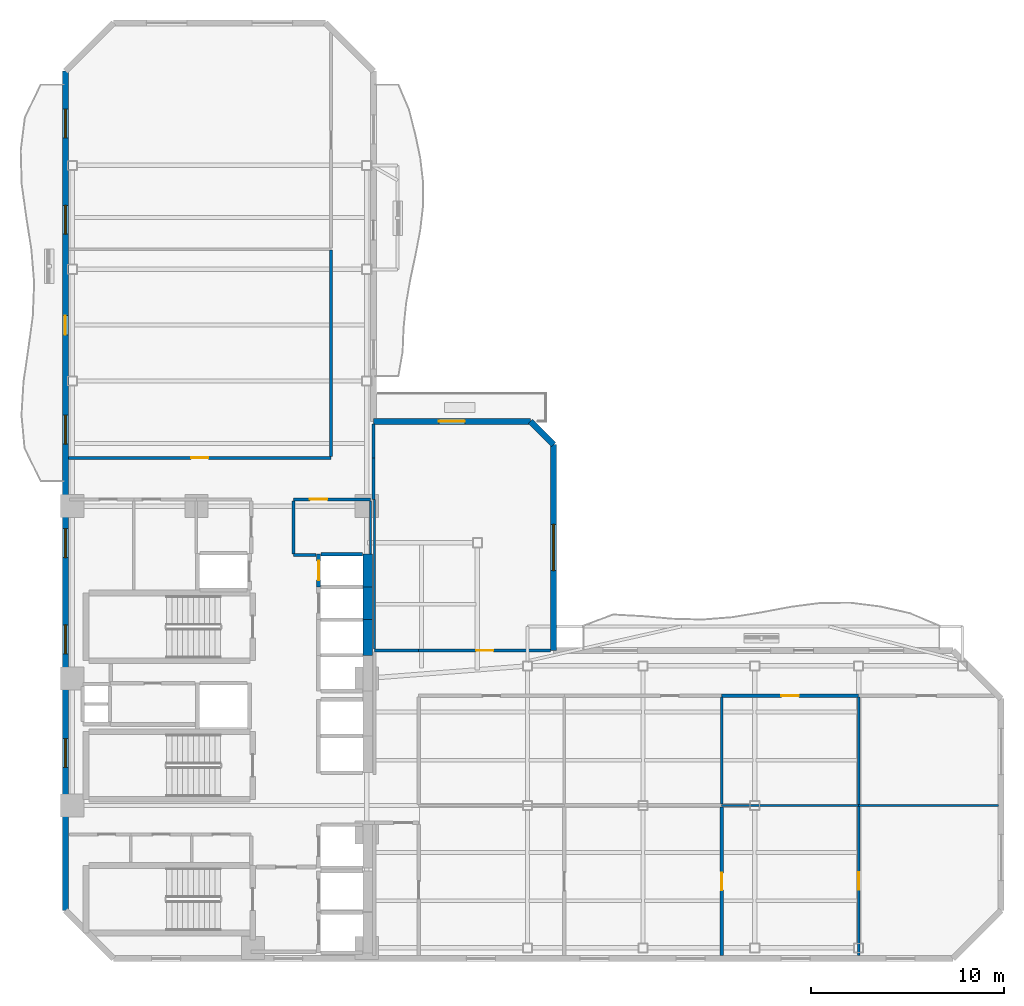
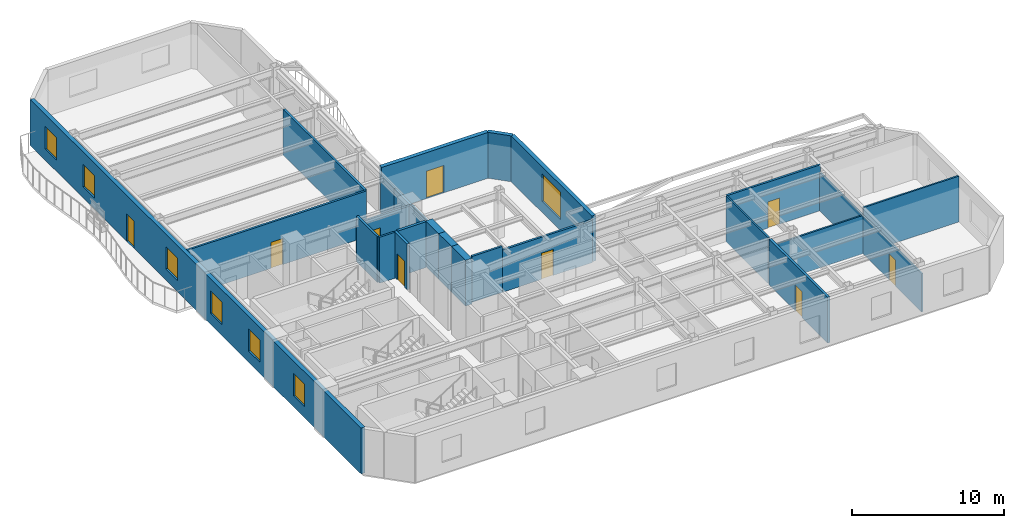
# One storey, part 5 of 10: 27 walls, 9 doors, 7 windows, 16 openings.
"""IFC4 building model written with IfcOpenShell, lengths in metres."""

from ifc_helpers import new_model, si_unit, direction, frame, frame_2d, origin, place, context, subcontext, project, spatial, rectangle, extrude, material, layer, layer_set, type_object, element, fill, save


model = new_model("IFC4")

# Units and contexts
model_context = context("Model", 3, precision=1e-05, world=origin(), true_north=direction((0.0, 1.0)))
body_context = subcontext(model_context, "Body", "Model", "MODEL_VIEW")
ifc_project = project(units=[si_unit("LENGTHUNIT", "METRE"), si_unit("AREAUNIT", "SQUARE_METRE"), si_unit("VOLUMEUNIT", "CUBIC_METRE"), si_unit("PLANEANGLEUNIT", "RADIAN"), si_unit("MASSUNIT", "GRAM", prefix="KILO")], contexts=[model_context])

# Site, building, storey
site_placement = place(None, origin())
site = spatial("IfcSite", under=ifc_project, at=site_placement, CompositionType="ELEMENT")
building_placement = place(site_placement, origin())
building = spatial("IfcBuilding", under=site, at=building_placement, Name="Mawjaban Terraces University", CompositionType="ELEMENT")
storey_placement = place(building_placement, frame((0.0, 0.0, 122.89990234375)))
storey = spatial("IfcBuildingStorey", under=building, at=storey_placement, Name="L29", CompositionType="ELEMENT", Elevation=122.89990234375)

# Wall, opening, door
ifc_material_1 = material(Name="Acoustic masonry blockwork", Category="masonry")
ifc_layer_1 = layer(ifc_material_1, 0.179931640625)
ifc_layer_set_1 = layer_set([ifc_layer_1], Name="Acoustic masonry blockwork")
wall_type_1 = type_object("IfcWallType", Name="AcousticStudioWall_180", PredefinedType="PARTITIONING", material=ifc_layer_set_1)
wall_1_placement = place(storey_placement, frame((56.080078125, 0.14501953125, 0.0), z_axis=(0.0, 0.0, 1.0), x_axis=(0.0, 1.0, 0.0)))
wall_1 = element("IfcWall", 1, at=wall_1_placement, inside=storey, type_object=wall_type_1, Name="L29 Media Workshop 4 Partition 46", PredefinedType="PARTITIONING", context=body_context, shape_type="SweptSolid", body=[
    extrude(rectangle(XDim=7.719970703125, YDim=0.179931640625, at=frame_2d((3.85986328125, 0.0))), origin(), (0.0, 0.0, 1.0), 3.690185546875),
])
opening_1_placement = place(wall_1_placement, frame((3.409912109375, 0.0, 0.0)))
opening_1 = element("IfcOpeningElement", 2, at=opening_1_placement, cuts=wall_1, Name="Opening ID-090", PredefinedType="OPENING", context=body_context, shape_type="SweptSolid", body=[
    extrude(rectangle(XDim=0.89990234375, YDim=2.10009765625, at=frame_2d((0.449951171875, 1.050048828125))), frame((0.0, 0.099853515625, 0.0), z_axis=(0.0, -1.0, 0.0), x_axis=(1.0, 0.0, 0.0)), (0.0, 0.0, 1.0), 0.199951171875),
])
ifc_material_2 = material(Name="Powder-coated steel frame and solid acoustic timber leaf", Category="steel")
door_type_1 = type_object("IfcDoorType", Name="OfficeDoor_900x2100", OperationType="NOTDEFINED", PredefinedType="DOOR", material=ifc_material_2)
door_1_placement = place(opening_1_placement, origin())
door_1 = element("IfcDoor", 3, at=door_1_placement, inside=storey, type_object=door_type_1, Name="L29 Reading Salon 6 Door", OperationType="SINGLE_SWING_RIGHT", OverallHeight=2.10009765625, OverallWidth=0.89990234375, PredefinedType="DOOR", context=body_context, shape_type="SweptSolid", body=[
    extrude(rectangle(XDim=0.89990234375, YDim=2.10009765625, at=frame_2d((0.449951171875, 1.050048828125))), frame((0.0, 0.02490234375, 0.0), z_axis=(0.0, -1.0, 0.0), x_axis=(1.0, 0.0, 0.0)), (0.0, 0.0, 1.0), 0.050048828125),
])
fill(opening_1, door_1)

# Walls
ifc_material_3 = material(Name="Concrete C60/75", Category="concrete")
ifc_layer_2 = layer(ifc_material_3, 0.5)
ifc_layer_set_2 = layer_set([ifc_layer_2], Name="Concrete C60/75")
wall_type_2 = type_object("IfcWallType", Name="CoreShearWall_500", PredefinedType="SHEAR", material=ifc_layer_set_2)
wall_2_placement = place(storey_placement, frame((37.699951171875, 15.75, 0.0), z_axis=(0.0, 0.0, 1.0), x_axis=(0.0, 1.0, 0.0)))
element("IfcWall", 4, at=wall_2_placement, inside=storey, type_object=wall_type_2, Name="L29 Lift OL-2 Hoistway Wall East", PredefinedType="SHEAR", context=body_context, shape_type="SweptSolid", body=[
    extrude(rectangle(XDim=1.85009765625, YDim=0.5, at=frame_2d((0.925048828125, 0.0))), origin(), (0.0, 0.0, 1.0), 3.690185546875),
])
for number, where, z_axis, x_axis, name in (
    (5, (37.699951171875, 17.60009765625, 0.0), (0.0, 0.0, 1.0), (0.0, 1.0, 0.0), "L29 Lift PL-M1 Hoistway Wall East"),
    (6, (37.699951171875, 19.300048828125, 0.0), (0.0, 0.0, 1.0), (0.0, 1.0, 0.0), "L29 Lift PL-M2 Hoistway Wall East"),
):
    element("IfcWall", number, at=place(storey_placement, frame(where, z_axis=z_axis, x_axis=x_axis)), inside=storey, type_object=wall_type_2, Name=name, PredefinedType="SHEAR", context=body_context, shape_type="SweptSolid", body=[
        extrude(rectangle(XDim=1.699951171875, YDim=0.5, at=frame_2d((0.85009765625, 0.0))), origin(), (0.0, 0.0, 1.0), 3.690185546875),
    ])
ifc_material_4 = material(Name="Fire-rated gypsum board on steel stud", Category="steel")
ifc_layer_3 = layer(ifc_material_4, 0.159912109375)
ifc_layer_set_3 = layer_set([ifc_layer_3], Name="Fire-rated gypsum board on steel stud")
wall_type_3 = type_object("IfcWallType", Name="CorridorPartition_160", PredefinedType="PARTITIONING", material=ifc_layer_set_3)
wall_3_placement = place(storey_placement, frame((35.02001953125, 20.949951171875, 0.0), z_axis=(0.0, 0.0, 1.0), x_axis=(-1.0, 0.0, 0.0)))
element("IfcWall", 7, at=wall_3_placement, inside=storey, type_object=wall_type_3, Name="L29 Passenger Lift Lobby Partition 11", PredefinedType="PARTITIONING", context=body_context, shape_type="SweptSolid", body=[
    extrude(rectangle(XDim=1.169921875, YDim=0.159912109375, at=frame_2d((0.5849609375, 0.0))), origin(), (0.0, 0.0, 1.0), 3.690185546875),
])

# Wall, opening, door
wall_4_placement = place(storey_placement, frame((35.800048828125, 26.0, 0.0), z_axis=(0.0, 0.0, 1.0), x_axis=(-1.0, 0.0, 0.0)))
wall_4 = element("IfcWall", 8, at=wall_4_placement, inside=storey, type_object=wall_type_3, Name="L29 North Core Cross-Corridor Partition 12", PredefinedType="PARTITIONING", context=body_context, shape_type="SweptSolid", body=[
    extrude(rectangle(XDim=13.655029296875, YDim=0.159912109375, at=frame_2d((6.82763671875, 0.0))), origin(), (0.0, 0.0, 1.0), 3.690185546875),
])
opening_2_placement = place(wall_4_placement, frame((6.376953125, 0.0, 0.0)))
opening_2 = element("IfcOpeningElement", 9, at=opening_2_placement, cuts=wall_4, Name="Opening ID-090", PredefinedType="OPENING", context=body_context, shape_type="SweptSolid", body=[
    extrude(rectangle(XDim=0.89990234375, YDim=2.10009765625, at=frame_2d((0.449951171875, 1.050048828125))), frame((0.0, 0.08984375, 0.0), z_axis=(0.0, -1.0, 0.0), x_axis=(1.0, 0.0, 0.0)), (0.0, 0.0, 1.0), 0.179931640625),
])
door_2_placement = place(opening_2_placement, origin())
door_2 = element("IfcDoor", 10, at=door_2_placement, inside=storey, type_object=door_type_1, Name="L29 Seminar Room 10 Door", OperationType="SINGLE_SWING_RIGHT", OverallHeight=2.10009765625, OverallWidth=0.89990234375, PredefinedType="DOOR", context=body_context, shape_type="SweptSolid", body=[
    extrude(rectangle(XDim=0.89990234375, YDim=2.10009765625, at=frame_2d((0.449951171875, 1.050048828125))), frame((0.0, 0.02490234375, 0.0), z_axis=(0.0, -1.0, 0.0), x_axis=(1.0, 0.0, 0.0)), (0.0, 0.0, 1.0), 0.050048828125),
])
fill(opening_2, door_2)

wall_5_placement = place(storey_placement, frame((37.85009765625, 23.85009765625, 0.0), z_axis=(0.0, 0.0, 1.0), x_axis=(-1.0, 0.0, 0.0)))
wall_5 = element("IfcWall", 11, at=wall_5_placement, inside=storey, type_object=wall_type_3, Name="L29 Departmental Resource Seminar Room Partition 14", PredefinedType="PARTITIONING", context=body_context, shape_type="SweptSolid", body=[
    extrude(rectangle(XDim=4.0, YDim=0.159912109375, at=frame_2d((2.0, 0.0))), origin(), (0.0, 0.0, 1.0), 3.072998046875),
])
opening_3_placement = place(wall_5_placement, frame((2.25, 0.0, 0.0)))
opening_3 = element("IfcOpeningElement", 12, at=opening_3_placement, cuts=wall_5, Name="Opening ID-090", PredefinedType="OPENING", context=body_context, shape_type="SweptSolid", body=[
    extrude(rectangle(XDim=0.89990234375, YDim=2.10009765625, at=frame_2d((0.449951171875, 1.050048828125))), frame((0.0, 0.08984375, 0.0), z_axis=(0.0, -1.0, 0.0), x_axis=(1.0, 0.0, 0.0)), (0.0, 0.0, 1.0), 0.179931640625),
])
door_3_placement = place(opening_3_placement, origin())
door_3 = element("IfcDoor", 13, at=door_3_placement, inside=storey, type_object=door_type_1, Name="L29 Departmental Resource Seminar Room Door", OperationType="SINGLE_SWING_LEFT", OverallHeight=2.10009765625, OverallWidth=0.89990234375, PredefinedType="DOOR", context=body_context, shape_type="SweptSolid", body=[
    extrude(rectangle(XDim=0.89990234375, YDim=2.10009765625, at=frame_2d((0.449951171875, 1.050048828125))), frame((0.0, 0.02490234375, 0.0), z_axis=(0.0, -1.0, 0.0), x_axis=(1.0, 0.0, 0.0)), (0.0, 0.0, 1.0), 0.050048828125),
])
fill(opening_3, door_3)

# Wall
wall_6_placement = place(storey_placement, frame((40.35009765625, 16.0, 0.0), z_axis=(0.0, 0.0, 1.0), x_axis=(-1.0, 0.0, 0.0)))
element("IfcWall", 14, at=wall_6_placement, inside=storey, type_object=wall_type_3, Name="L29 Inner Gallery Link Corridor Partition 17", PredefinedType="PARTITIONING", context=body_context, shape_type="SweptSolid", body=[
    extrude(rectangle(XDim=2.300048828125, YDim=0.159912109375, at=frame_2d((1.14990234375, 0.0))), origin(), (0.0, 0.0, 1.0), 3.690185546875),
])

# Wall, opening, door
wall_7_placement = place(storey_placement, frame((40.35009765625, 16.0, 0.0), z_axis=(0.0, 0.0, 1.0), x_axis=(1.0, 0.0, 0.0)))
wall_7 = element("IfcWall", 15, at=wall_7_placement, inside=storey, type_object=wall_type_3, Name="L29 Terrace Collaborative Study Room Partition 18", PredefinedType="PARTITIONING", context=body_context, shape_type="SweptSolid", body=[
    extrude(rectangle(XDim=6.85595703125, YDim=0.159912109375, at=frame_2d((3.427978515625, 0.0))), origin(), (0.0, 0.0, 1.0), 3.39013671875),
])
opening_4_placement = place(wall_7_placement, frame((2.97802734375, 0.0, 0.0)))
opening_4 = element("IfcOpeningElement", 16, at=opening_4_placement, cuts=wall_7, Name="Opening ID-090", PredefinedType="OPENING", context=body_context, shape_type="SweptSolid", body=[
    extrude(rectangle(XDim=0.89990234375, YDim=2.10009765625, at=frame_2d((0.449951171875, 1.050048828125))), frame((0.0, 0.08984375, 0.0), z_axis=(0.0, -1.0, 0.0), x_axis=(1.0, 0.0, 0.0)), (0.0, 0.0, 1.0), 0.179931640625),
])
door_4_placement = place(opening_4_placement, origin())
door_4 = element("IfcDoor", 17, at=door_4_placement, inside=storey, type_object=door_type_1, Name="L29 Terrace Collaborative Study Room Door", OperationType="SINGLE_SWING_RIGHT", OverallHeight=2.10009765625, OverallWidth=0.89990234375, PredefinedType="DOOR", context=body_context, shape_type="SweptSolid", body=[
    extrude(rectangle(XDim=0.89990234375, YDim=2.10009765625, at=frame_2d((0.449951171875, 1.050048828125))), frame((0.0, 0.02490234375, 0.0), z_axis=(0.0, -1.0, 0.0), x_axis=(1.0, 0.0, 0.0)), (0.0, 0.0, 1.0), 0.050048828125),
])
fill(opening_4, door_4)

wall_8_placement = place(storey_placement, frame((56.080078125, 13.64990234375, 0.0), z_axis=(0.0, 0.0, 1.0), x_axis=(1.0, 0.0, 0.0)))
wall_8 = element("IfcWall", 18, at=wall_8_placement, inside=storey, type_object=wall_type_3, Name="L29 Inner Terrace Gallery Corridor East Partition 22", PredefinedType="PARTITIONING", context=body_context, shape_type="SweptSolid", body=[
    extrude(rectangle(XDim=7.119873046875, YDim=0.159912109375, at=frame_2d((3.56005859375, 0.0))), origin(), (0.0, 0.0, 1.0), 3.690185546875),
])
opening_5_placement = place(wall_8_placement, frame((3.110107421875, 0.0, 0.0)))
opening_5 = element("IfcOpeningElement", 19, at=opening_5_placement, cuts=wall_8, Name="Opening ID-090", PredefinedType="OPENING", context=body_context, shape_type="SweptSolid", body=[
    extrude(rectangle(XDim=0.89990234375, YDim=2.10009765625, at=frame_2d((0.449951171875, 1.050048828125))), frame((0.0, 0.08984375, 0.0), z_axis=(0.0, -1.0, 0.0), x_axis=(1.0, 0.0, 0.0)), (0.0, 0.0, 1.0), 0.179931640625),
])
door_5_placement = place(opening_5_placement, origin())
door_5 = element("IfcDoor", 20, at=door_5_placement, inside=storey, type_object=door_type_1, Name="L29 Academic Counseling Room 7 Door", OperationType="SINGLE_SWING_LEFT", OverallHeight=2.10009765625, OverallWidth=0.89990234375, PredefinedType="DOOR", context=body_context, shape_type="SweptSolid", body=[
    extrude(rectangle(XDim=0.89990234375, YDim=2.10009765625, at=frame_2d((0.449951171875, 1.050048828125))), frame((0.0, 0.02490234375, 0.0), z_axis=(0.0, -1.0, 0.0), x_axis=(1.0, 0.0, 0.0)), (0.0, 0.0, 1.0), 0.050048828125),
])
fill(opening_5, door_5)

# Walls
wall_9_placement = place(storey_placement, frame((33.85009765625, 21.02490234375, 0.0), z_axis=(0.0, 0.0, 1.0), x_axis=(0.0, 1.0, 0.0)))
element("IfcWall", 21, at=wall_9_placement, inside=storey, type_object=wall_type_3, Name="L29 Core North Lift Lobby Partition 33", PredefinedType="PARTITIONING", context=body_context, shape_type="SweptSolid", body=[
    extrude(rectangle(XDim=2.75, YDim=0.159912109375, at=frame_2d((1.375, 0.0))), origin(), (0.0, 0.0, 1.0), 3.690185546875),
])
wall_10_placement = place(storey_placement, frame((35.800048828125, 36.79296875, 0.0), z_axis=(0.0, 0.0, 1.0), x_axis=(0.0, -1.0, 0.0)))
element("IfcWall", 22, at=wall_10_placement, inside=storey, type_object=wall_type_3, Name="L29 Inner Terrace Gallery Corridor North Partition 34", PredefinedType="PARTITIONING", context=body_context, shape_type="SweptSolid", body=[
    extrude(rectangle(XDim=10.718017578125, YDim=0.159912109375, at=frame_2d((5.35888671875, 0.0))), origin(), (0.0, 0.0, 1.0), 3.690185546875),
])
wall_11_placement = place(storey_placement, frame((38.0, 23.85009765625, 0.0), z_axis=(0.0, 0.0, 1.0), x_axis=(0.0, 1.0, 0.0)))
element("IfcWall", 23, at=wall_11_placement, inside=storey, type_object=wall_type_3, Name="L29 North Core Cross-Corridor Partition 37", PredefinedType="PARTITIONING", context=body_context, shape_type="SweptSolid", body=[
    extrude(rectangle(XDim=2.14990234375, YDim=0.159912109375, at=frame_2d((1.074951171875, 0.0))), origin(), (0.0, 0.0, 1.0), 3.072998046875),
])
wall_12_placement = place(storey_placement, frame((38.0, 26.0, 0.0), z_axis=(0.0, 0.0, 1.0), x_axis=(0.0, 1.0, 0.0)))
element("IfcWall", 24, at=wall_12_placement, inside=storey, type_object=wall_type_3, Name="L29 Inner Terrace Gallery Corridor North Partition 38", PredefinedType="PARTITIONING", context=body_context, shape_type="SweptSolid", body=[
    extrude(rectangle(XDim=1.7548828125, YDim=0.159912109375, at=frame_2d((0.87744140625, 0.0))), origin(), (0.0, 0.0, 1.0), 3.072998046875),
])

# Wall, opening, window
ifc_material_5 = material(Name="Insulated terracotta rainscreen on concrete backup C40/50", Category="masonry")
ifc_layer_4 = layer(ifc_material_5, 0.300048828125)
ifc_layer_set_4 = layer_set([ifc_layer_4], Name="Insulated terracotta rainscreen on concrete backup C40/50")
wall_type_4 = type_object("IfcWallType", Name="ExtTerracottaWall_300", PredefinedType="SOLIDWALL", material=ifc_layer_set_4)
wall_13_placement = place(storey_placement, frame((47.35107421875, 16.0, 0.0), z_axis=(0.0, 0.0, 1.0), x_axis=(0.0, 1.0, 0.0)))
wall_13 = element("IfcWall", 25, at=wall_13_placement, inside=storey, type_object=wall_type_4, Name="L29 Exterior Terracotta Wall 6", PredefinedType="SOLIDWALL", context=body_context, shape_type="SweptSolid", body=[
    extrude(rectangle(XDim=10.699951171875, YDim=0.300048828125, at=frame_2d((5.35009765625, 0.0))), origin(), (0.0, 0.0, 1.0), 3.690185546875),
])
opening_6_placement = place(wall_13_placement, frame((4.14990234375, 0.0, 0.89990234375)))
opening_6 = element("IfcOpeningElement", 26, at=opening_6_placement, cuts=wall_13, Name="Opening W-11", PredefinedType="OPENING", context=body_context, shape_type="SweptSolid", body=[
    extrude(rectangle(XDim=2.39990234375, YDim=2.199951171875, at=frame_2d((1.199951171875, 1.10009765625))), frame((0.0, 0.159912109375, 0.0), z_axis=(0.0, -1.0, 0.0), x_axis=(1.0, 0.0, 0.0)), (0.0, 0.0, 1.0), 0.320068359375),
])
ifc_material_6 = material(Name="Low-E solar-control double glazing in thermally broken aluminium frame", Category="aluminium")
window_type_1 = type_object("IfcWindowType", Name="Win_2400x2200", PartitioningType="SINGLE_PANEL", PredefinedType="WINDOW", material=ifc_material_6)
window_1_placement = place(opening_6_placement, origin())
window_1 = element("IfcWindow", 27, at=window_1_placement, inside=storey, type_object=window_type_1, Name="L29 Facade Window 6.1", OverallHeight=2.199951171875, OverallWidth=2.39990234375, PartitioningType="SINGLE_PANEL", PredefinedType="WINDOW", context=body_context, shape_type="SweptSolid", body=[
    extrude(rectangle(XDim=2.39990234375, YDim=2.199951171875, at=frame_2d((1.199951171875, 1.10009765625))), frame((0.0, 0.030029296875, 0.0), z_axis=(0.0, -1.0, 0.0), x_axis=(1.0, 0.0, 0.0)), (0.0, 0.0, 1.0), 0.06005859375),
])
fill(opening_6, window_1)

# Wall
wall_14_placement = place(storey_placement, frame((47.35107421875, 26.699951171875, 0.0), z_axis=(0.0, 0.0, 1.0), x_axis=(-0.707178703759, 0.707034851297, 0.0)))
element("IfcWall", 28, at=wall_14_placement, inside=storey, type_object=wall_type_4, Name="L29 Exterior Terracotta Wall 7", PredefinedType="SOLIDWALL", context=body_context, shape_type="SweptSolid", body=[
    extrude(rectangle(XDim=1.697265625, YDim=0.300048828125, at=frame_2d((0.8486328125, 0.0))), origin(), (0.0, 0.0, 1.0), 3.690185546875),
])

# Wall, opening, door
wall_15_placement = place(storey_placement, frame((46.15087890625, 27.89990234375, 0.0), z_axis=(0.0, 0.0, 1.0), x_axis=(-1.0, 0.0, 0.0)))
wall_15 = element("IfcWall", 29, at=wall_15_placement, inside=storey, type_object=wall_type_4, Name="L29 Exterior Terracotta Wall 8", PredefinedType="SOLIDWALL", context=body_context, shape_type="SweptSolid", body=[
    extrude(rectangle(XDim=8.15087890625, YDim=0.300048828125, at=frame_2d((4.075439453125, 0.0))), origin(), (0.0, 0.0, 1.0), 3.690185546875),
])
opening_7_placement = place(wall_15_placement, frame((3.39990234375, 0.0, 0.0)))
opening_7 = element("IfcOpeningElement", 30, at=opening_7_placement, cuts=wall_15, Name="Opening TD-135", PredefinedType="OPENING", context=body_context, shape_type="SweptSolid", body=[
    extrude(rectangle(XDim=1.35009765625, YDim=2.199951171875, at=frame_2d((0.675048828125, 1.10009765625))), frame((0.0, 0.159912109375, 0.0), z_axis=(0.0, -1.0, 0.0), x_axis=(1.0, 0.0, 0.0)), (0.0, 0.0, 1.0), 0.320068359375),
])
ifc_material_7 = material(Name="Thermally broken anodised aluminium and laminated safety glass", Category="aluminium")
door_type_2 = type_object("IfcDoorType", Name="TerraceGlazedDoor_1350x2200", OperationType="NOTDEFINED", PredefinedType="DOOR", material=ifc_material_7)
door_6_placement = place(opening_7_placement, origin())
door_6 = element("IfcDoor", 31, at=door_6_placement, inside=storey, type_object=door_type_2, Name="L29 Terrace Access Door TER-L29-CLIMB", OperationType="SINGLE_SWING_LEFT", OverallHeight=2.199951171875, OverallWidth=1.35009765625, PredefinedType="DOOR", context=body_context, shape_type="SweptSolid", body=[
    extrude(rectangle(XDim=1.35009765625, YDim=2.199951171875, at=frame_2d((0.675048828125, 1.10009765625))), frame((0.0, 0.02490234375, 0.0), z_axis=(0.0, -1.0, 0.0), x_axis=(1.0, 0.0, 0.0)), (0.0, 0.0, 1.0), 0.050048828125),
])
fill(opening_7, door_6)

# Wall, openings, door, windows
wall_16_placement = place(storey_placement, frame((22.0, 46.10009765625, 0.0), z_axis=(0.0, 0.0, 1.0), x_axis=(0.0, -1.0, 0.0)))
wall_16 = element("IfcWall", 32, at=wall_16_placement, inside=storey, type_object=wall_type_4, Name="L29 Exterior Terracotta Wall 13", PredefinedType="SOLIDWALL", context=body_context, shape_type="SweptSolid", body=[
    extrude(rectangle(XDim=43.60009765625, YDim=0.300048828125, at=frame_2d((21.800048828125, 0.0))), origin(), (0.0, 0.0, 1.0), 3.690185546875),
])
opening_8_placement = place(wall_16_placement, frame((12.699951171875, 0.0, 0.0)))
opening_8 = element("IfcOpeningElement", 33, at=opening_8_placement, cuts=wall_16, Name="Opening BD-100", PredefinedType="OPENING", context=body_context, shape_type="SweptSolid", body=[
    extrude(rectangle(XDim=1.0, YDim=2.199951171875, at=frame_2d((0.5, 1.10009765625))), frame((0.0, 0.159912109375, 0.0), z_axis=(0.0, -1.0, 0.0), x_axis=(1.0, 0.0, 0.0)), (0.0, 0.0, 1.0), 0.320068359375),
])
opening_9_placement = place(wall_16_placement, frame((1.97509765625, 0.0, 0.89990234375)))
opening_9 = element("IfcOpeningElement", 34, at=opening_9_placement, cuts=wall_16, Name="Opening W-06", PredefinedType="OPENING", context=body_context, shape_type="SweptSolid", body=[
    extrude(rectangle(XDim=1.5, YDim=1.800048828125, at=frame_2d((0.75, 0.89990234375))), frame((0.0, 0.159912109375, 0.0), z_axis=(0.0, -1.0, 0.0), x_axis=(1.0, 0.0, 0.0)), (0.0, 0.0, 1.0), 0.320068359375),
])
opening_10_placement = place(wall_16_placement, frame((6.97509765625, 0.0, 0.89990234375)))
opening_10 = element("IfcOpeningElement", 35, at=opening_10_placement, cuts=wall_16, Name="Opening W-06", PredefinedType="OPENING", context=body_context, shape_type="SweptSolid", body=[
    extrude(rectangle(XDim=1.5, YDim=1.800048828125, at=frame_2d((0.75, 0.89990234375))), frame((0.0, 0.159912109375, 0.0), z_axis=(0.0, -1.0, 0.0), x_axis=(1.0, 0.0, 0.0)), (0.0, 0.0, 1.0), 0.320068359375),
])
opening_11_placement = place(wall_16_placement, frame((17.875, 0.0, 0.89990234375)))
opening_11 = element("IfcOpeningElement", 36, at=opening_11_placement, cuts=wall_16, Name="Opening W-06", PredefinedType="OPENING", context=body_context, shape_type="SweptSolid", body=[
    extrude(rectangle(XDim=1.5, YDim=1.800048828125, at=frame_2d((0.75, 0.89990234375))), frame((0.0, 0.159912109375, 0.0), z_axis=(0.0, -1.0, 0.0), x_axis=(1.0, 0.0, 0.0)), (0.0, 0.0, 1.0), 0.320068359375),
])
opening_12_placement = place(wall_16_placement, frame((23.77490234375, 0.0, 0.89990234375)))
opening_12 = element("IfcOpeningElement", 37, at=opening_12_placement, cuts=wall_16, Name="Opening W-06", PredefinedType="OPENING", context=body_context, shape_type="SweptSolid", body=[
    extrude(rectangle(XDim=1.5, YDim=1.800048828125, at=frame_2d((0.75, 0.89990234375))), frame((0.0, 0.159912109375, 0.0), z_axis=(0.0, -1.0, 0.0), x_axis=(1.0, 0.0, 0.0)), (0.0, 0.0, 1.0), 0.320068359375),
])
opening_13_placement = place(wall_16_placement, frame((28.77490234375, 0.0, 0.89990234375)))
opening_13 = element("IfcOpeningElement", 38, at=opening_13_placement, cuts=wall_16, Name="Opening W-06", PredefinedType="OPENING", context=body_context, shape_type="SweptSolid", body=[
    extrude(rectangle(XDim=1.5, YDim=1.800048828125, at=frame_2d((0.75, 0.89990234375))), frame((0.0, 0.159912109375, 0.0), z_axis=(0.0, -1.0, 0.0), x_axis=(1.0, 0.0, 0.0)), (0.0, 0.0, 1.0), 0.320068359375),
])
opening_14_placement = place(wall_16_placement, frame((34.675048828125, 0.0, 0.89990234375)))
opening_14 = element("IfcOpeningElement", 39, at=opening_14_placement, cuts=wall_16, Name="Opening W-06", PredefinedType="OPENING", context=body_context, shape_type="SweptSolid", body=[
    extrude(rectangle(XDim=1.5, YDim=1.800048828125, at=frame_2d((0.75, 0.89990234375))), frame((0.0, 0.159912109375, 0.0), z_axis=(0.0, -1.0, 0.0), x_axis=(1.0, 0.0, 0.0)), (0.0, 0.0, 1.0), 0.320068359375),
])
door_type_3 = type_object("IfcDoorType", Name="BalconyGlazedDoor_1000x2200", OperationType="NOTDEFINED", PredefinedType="DOOR", material=ifc_material_7)
door_7_placement = place(opening_8_placement, origin())
door_7 = element("IfcDoor", 40, at=door_7_placement, inside=storey, type_object=door_type_3, Name="L29 Balcony Access Door west", OperationType="SINGLE_SWING_RIGHT", OverallHeight=2.199951171875, OverallWidth=1.0, PredefinedType="DOOR", context=body_context, shape_type="SweptSolid", body=[
    extrude(rectangle(XDim=1.0, YDim=2.199951171875, at=frame_2d((0.5, 1.10009765625))), frame((0.0, 0.02490234375, 0.0), z_axis=(0.0, -1.0, 0.0), x_axis=(1.0, 0.0, 0.0)), (0.0, 0.0, 1.0), 0.050048828125),
])
fill(opening_8, door_7)
window_type_2 = type_object("IfcWindowType", Name="Win_1500x1800", PartitioningType="SINGLE_PANEL", PredefinedType="WINDOW", material=ifc_material_6)
window_2_placement = place(opening_9_placement, origin())
window_2 = element("IfcWindow", 41, at=window_2_placement, inside=storey, type_object=window_type_2, Name="L29 Facade Window 13.1", OverallHeight=1.800048828125, OverallWidth=1.5, PartitioningType="SINGLE_PANEL", PredefinedType="WINDOW", context=body_context, shape_type="SweptSolid", body=[
    extrude(rectangle(XDim=1.5, YDim=1.800048828125, at=frame_2d((0.75, 0.89990234375))), frame((0.0, 0.030029296875, 0.0), z_axis=(0.0, -1.0, 0.0), x_axis=(1.0, 0.0, 0.0)), (0.0, 0.0, 1.0), 0.06005859375),
])
fill(opening_9, window_2)
window_3_placement = place(opening_10_placement, origin())
window_3 = element("IfcWindow", 42, at=window_3_placement, inside=storey, type_object=window_type_2, Name="L29 Facade Window 13.2", OverallHeight=1.800048828125, OverallWidth=1.5, PartitioningType="SINGLE_PANEL", PredefinedType="WINDOW", context=body_context, shape_type="SweptSolid", body=[
    extrude(rectangle(XDim=1.5, YDim=1.800048828125, at=frame_2d((0.75, 0.89990234375))), frame((0.0, 0.030029296875, 0.0), z_axis=(0.0, -1.0, 0.0), x_axis=(1.0, 0.0, 0.0)), (0.0, 0.0, 1.0), 0.06005859375),
])
fill(opening_10, window_3)
window_4_placement = place(opening_11_placement, origin())
window_4 = element("IfcWindow", 43, at=window_4_placement, inside=storey, type_object=window_type_2, Name="L29 Facade Window 13.4", OverallHeight=1.800048828125, OverallWidth=1.5, PartitioningType="SINGLE_PANEL", PredefinedType="WINDOW", context=body_context, shape_type="SweptSolid", body=[
    extrude(rectangle(XDim=1.5, YDim=1.800048828125, at=frame_2d((0.75, 0.89990234375))), frame((0.0, 0.030029296875, 0.0), z_axis=(0.0, -1.0, 0.0), x_axis=(1.0, 0.0, 0.0)), (0.0, 0.0, 1.0), 0.06005859375),
])
fill(opening_11, window_4)
window_5_placement = place(opening_12_placement, origin())
window_5 = element("IfcWindow", 44, at=window_5_placement, inside=storey, type_object=window_type_2, Name="L29 Facade Window 13.5", OverallHeight=1.800048828125, OverallWidth=1.5, PartitioningType="SINGLE_PANEL", PredefinedType="WINDOW", context=body_context, shape_type="SweptSolid", body=[
    extrude(rectangle(XDim=1.5, YDim=1.800048828125, at=frame_2d((0.75, 0.89990234375))), frame((0.0, 0.030029296875, 0.0), z_axis=(0.0, -1.0, 0.0), x_axis=(1.0, 0.0, 0.0)), (0.0, 0.0, 1.0), 0.06005859375),
])
fill(opening_12, window_5)
window_6_placement = place(opening_13_placement, origin())
window_6 = element("IfcWindow", 45, at=window_6_placement, inside=storey, type_object=window_type_2, Name="L29 Facade Window 13.6", OverallHeight=1.800048828125, OverallWidth=1.5, PartitioningType="SINGLE_PANEL", PredefinedType="WINDOW", context=body_context, shape_type="SweptSolid", body=[
    extrude(rectangle(XDim=1.5, YDim=1.800048828125, at=frame_2d((0.75, 0.89990234375))), frame((0.0, 0.030029296875, 0.0), z_axis=(0.0, -1.0, 0.0), x_axis=(1.0, 0.0, 0.0)), (0.0, 0.0, 1.0), 0.06005859375),
])
fill(opening_13, window_6)
window_7_placement = place(opening_14_placement, origin())
window_7 = element("IfcWindow", 46, at=window_7_placement, inside=storey, type_object=window_type_2, Name="L29 Facade Window 13.7", OverallHeight=1.800048828125, OverallWidth=1.5, PartitioningType="SINGLE_PANEL", PredefinedType="WINDOW", context=body_context, shape_type="SweptSolid", body=[
    extrude(rectangle(XDim=1.5, YDim=1.800048828125, at=frame_2d((0.75, 0.89990234375))), frame((0.0, 0.030029296875, 0.0), z_axis=(0.0, -1.0, 0.0), x_axis=(1.0, 0.0, 0.0)), (0.0, 0.0, 1.0), 0.06005859375),
])
fill(opening_14, window_7)

# Wall, opening, door
ifc_material_8 = material(Name="Concrete C40/50", Category="concrete")
ifc_layer_5 = layer(ifc_material_8, 0.199951171875)
ifc_layer_set_5 = layer_set([ifc_layer_5], Name="Concrete C40/50")
wall_type_5 = type_object("IfcWallType", Name="FireLobbyWall_200", PredefinedType="SOLIDWALL", material=ifc_layer_set_5)
wall_17_placement = place(storey_placement, frame((35.14990234375, 21.0, 0.0), z_axis=(0.0, 0.0, 1.0), x_axis=(0.0, -1.0, 0.0)))
wall_17 = element("IfcWall", 47, at=wall_17_placement, inside=storey, type_object=wall_type_5, Name="L29 Lift PL-M2 Hoistway Wall West", PredefinedType="SOLIDWALL", context=body_context, shape_type="SweptSolid", body=[
    extrude(rectangle(XDim=1.699951171875, YDim=0.199951171875, at=frame_2d((0.85009765625, 0.0))), origin(), (0.0, 0.0, 1.0), 3.690185546875),
])
opening_15_placement = place(wall_17_placement, frame((0.35009765625, 0.0, 0.0)))
opening_15 = element("IfcOpeningElement", 48, at=opening_15_placement, cuts=wall_17, Name="Opening LD-PL-M2", PredefinedType="OPENING", context=body_context, shape_type="SweptSolid", body=[
    extrude(rectangle(XDim=1.0, YDim=2.10009765625, at=frame_2d((0.5, 1.050048828125))), frame((0.0, 0.10986328125, 0.0), z_axis=(0.0, -1.0, 0.0), x_axis=(1.0, 0.0, 0.0)), (0.0, 0.0, 1.0), 0.219970703125),
])
ifc_material_9 = material(Name="Powder-coated steel frame and fire-rated steel-faced leaf", Category="steel")
door_type_4 = type_object("IfcDoorType", Name="LiftLandingSliding_1000x2100", OperationType="NOTDEFINED", PredefinedType="DOOR", material=ifc_material_9)
door_8_placement = place(opening_15_placement, origin())
door_8 = element("IfcDoor", 49, at=door_8_placement, inside=storey, type_object=door_type_4, Name="L29 Lift PL-M2 Sliding Landing Door", OperationType="DOUBLE_DOOR_SLIDING", OverallHeight=2.10009765625, OverallWidth=1.0, PredefinedType="DOOR", context=body_context, shape_type="SweptSolid", body=[
    extrude(rectangle(XDim=1.0, YDim=2.10009765625, at=frame_2d((0.5, 1.050048828125))), frame((0.0, 0.02490234375, 0.0), z_axis=(0.0, -1.0, 0.0), x_axis=(1.0, 0.0, 0.0)), (0.0, 0.0, 1.0), 0.050048828125),
])
fill(opening_15, door_8)

# Walls
wall_18_placement = place(storey_placement, frame((37.419921875, 21.0, 0.0), z_axis=(0.0, 0.0, 1.0), x_axis=(-1.0, 0.0, 0.0)))
element("IfcWall", 50, at=wall_18_placement, inside=storey, type_object=wall_type_5, Name="L29 Lift PL-M2 Hoistway Wall North", PredefinedType="SOLIDWALL", context=body_context, shape_type="SweptSolid", body=[
    extrude(rectangle(XDim=2.139892578125, YDim=0.199951171875, at=frame_2d((1.06982421875, 0.0))), origin(), (0.0, 0.0, 1.0), 3.690185546875),
])
ifc_material_10 = material(Name="Gypsum plasterboard on steel stud", Category="steel")
ifc_layer_6 = layer(ifc_material_10, 0.125)
ifc_layer_set_6 = layer_set([ifc_layer_6], Name="Gypsum plasterboard on steel stud")
wall_type_6 = type_object("IfcWallType", Name="OfficePartition_125", PredefinedType="PARTITIONING", material=ifc_layer_set_6)
wall_19_placement = place(storey_placement, frame((63.199951171875, 7.949951171875, 0.0), z_axis=(0.0, 0.0, 1.0), x_axis=(-1.0, 0.0, 0.0)))
element("IfcWall", 51, at=wall_19_placement, inside=storey, type_object=wall_type_6, Name="L29 Reading Salon 6 Partition 23", PredefinedType="PARTITIONING", context=body_context, shape_type="SweptSolid", body=[
    extrude(rectangle(XDim=7.119873046875, YDim=0.125, at=frame_2d((3.56005859375, 0.0))), origin(), (0.0, 0.0, 1.0), 3.072998046875),
])
wall_20_placement = place(storey_placement, frame((70.455078125, 7.949951171875, 0.0), z_axis=(0.0, 0.0, 1.0), x_axis=(-1.0, 0.0, 0.0)))
element("IfcWall", 52, at=wall_20_placement, inside=storey, type_object=wall_type_6, Name="L29 Academic Counseling Room 8 Partition 25", PredefinedType="PARTITIONING", context=body_context, shape_type="SweptSolid", body=[
    extrude(rectangle(XDim=7.255126953125, YDim=0.125, at=frame_2d((3.62744140625, 0.0))), origin(), (0.0, 0.0, 1.0), 3.690185546875),
])
wall_21_placement = place(storey_placement, frame((38.050048828125, 23.85009765625, 0.0), z_axis=(0.0, 0.0, 1.0), x_axis=(0.0, -1.0, 0.0)))
element("IfcWall", 53, at=wall_21_placement, inside=storey, type_object=wall_type_6, Name="L29 Terrace Collaborative Study Room Partition 41", PredefinedType="PARTITIONING", context=body_context, shape_type="SweptSolid", body=[
    extrude(rectangle(XDim=7.775146484375, YDim=0.125, at=frame_2d((3.8876953125, 0.0))), origin(), (0.0, 0.0, 1.0), 3.072998046875),
])
wall_22_placement = place(storey_placement, frame((56.080078125, 8.034912109375, 0.0), z_axis=(0.0, 0.0, 1.0), x_axis=(0.0, 1.0, 0.0)))
element("IfcWall", 54, at=wall_22_placement, inside=storey, type_object=wall_type_6, Name="L29 Quiet Reading Room 5 Partition 47", PredefinedType="PARTITIONING", context=body_context, shape_type="SweptSolid", body=[
    extrude(rectangle(XDim=5.5400390625, YDim=0.125, at=frame_2d((2.77001953125, 0.0))), origin(), (0.0, 0.0, 1.0), 3.690185546875),
])

# Wall, opening, door
wall_23_placement = place(storey_placement, frame((63.199951171875, 0.14501953125, 0.0), z_axis=(0.0, 0.0, 1.0), x_axis=(0.0, 1.0, 0.0)))
wall_23 = element("IfcWall", 55, at=wall_23_placement, inside=storey, type_object=wall_type_6, Name="L29 Reading Salon 6 Partition 48", PredefinedType="PARTITIONING", context=body_context, shape_type="SweptSolid", body=[
    extrude(rectangle(XDim=7.748046875, YDim=0.125, at=frame_2d((3.8740234375, 0.0))), origin(), (0.0, 0.0, 1.0), 3.072998046875),
])
opening_16_placement = place(wall_23_placement, frame((3.424072265625, 0.0, 0.0)))
opening_16 = element("IfcOpeningElement", 56, at=opening_16_placement, cuts=wall_23, Name="Opening ID-090", PredefinedType="OPENING", context=body_context, shape_type="SweptSolid", body=[
    extrude(rectangle(XDim=0.89990234375, YDim=2.10009765625, at=frame_2d((0.449951171875, 1.050048828125))), frame((0.0, 0.072509765625, 0.0), z_axis=(0.0, -1.0, 0.0), x_axis=(1.0, 0.0, 0.0)), (0.0, 0.0, 1.0), 0.14501953125),
])
door_9_placement = place(opening_16_placement, origin())
door_9 = element("IfcDoor", 57, at=door_9_placement, inside=storey, type_object=door_type_1, Name="L29 Academic Counseling Room 8 Door", OperationType="SINGLE_SWING_RIGHT", OverallHeight=2.10009765625, OverallWidth=0.89990234375, PredefinedType="DOOR", context=body_context, shape_type="SweptSolid", body=[
    extrude(rectangle(XDim=0.89990234375, YDim=2.10009765625, at=frame_2d((0.449951171875, 1.050048828125))), frame((0.0, 0.02490234375, 0.0), z_axis=(0.0, -1.0, 0.0), x_axis=(1.0, 0.0, 0.0)), (0.0, 0.0, 1.0), 0.050048828125),
])
fill(opening_16, door_9)

# Walls
wall_24_placement = place(storey_placement, frame((63.199951171875, 8.008056640625, 0.0), z_axis=(0.0, 0.0, 1.0), x_axis=(0.0, 1.0, 0.0)))
element("IfcWall", 58, at=wall_24_placement, inside=storey, type_object=wall_type_6, Name="L29 Academic Counseling Room 7 Partition 49", PredefinedType="PARTITIONING", context=body_context, shape_type="SweptSolid", body=[
    extrude(rectangle(XDim=5.56689453125, YDim=0.125, at=frame_2d((2.783447265625, 0.0))), origin(), (0.0, 0.0, 1.0), 3.072998046875),
])
ifc_material_11 = material(Name="Acoustic operable panel partition", Category="masonry")
ifc_layer_7 = layer(ifc_material_11, 0.110107421875)
ifc_layer_set_7 = layer_set([ifc_layer_7], Name="Acoustic operable panel partition")
wall_type_7 = type_object("IfcWallType", Name="OperableSeminarWall_110", PredefinedType="MOVABLE", material=ifc_layer_set_7)
wall_25_placement = place(storey_placement, frame((37.85009765625, 21.0, 0.0), z_axis=(0.0, 0.0, 1.0), x_axis=(0.0, 1.0, 0.0)))
element("IfcWall", 59, at=wall_25_placement, inside=storey, type_object=wall_type_7, Name="L29 Departmental Resource Seminar Room Partition 36", PredefinedType="MOVABLE", context=body_context, shape_type="SweptSolid", body=[
    extrude(rectangle(XDim=2.77490234375, YDim=0.110107421875, at=frame_2d((1.387451171875, 0.0))), origin(), (0.0, 0.0, 1.0), 3.072998046875),
])

save(model, "model.ifc")
